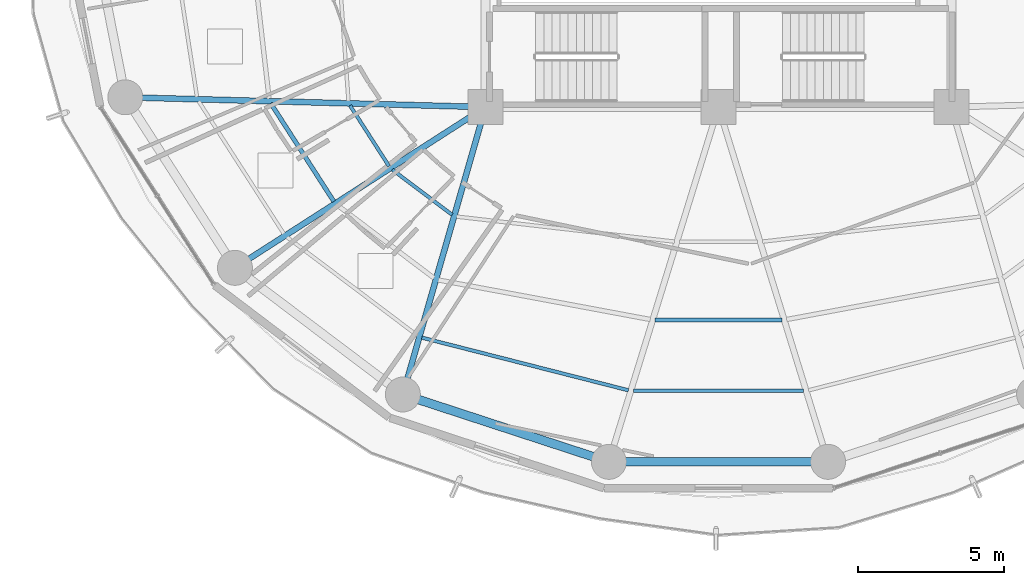
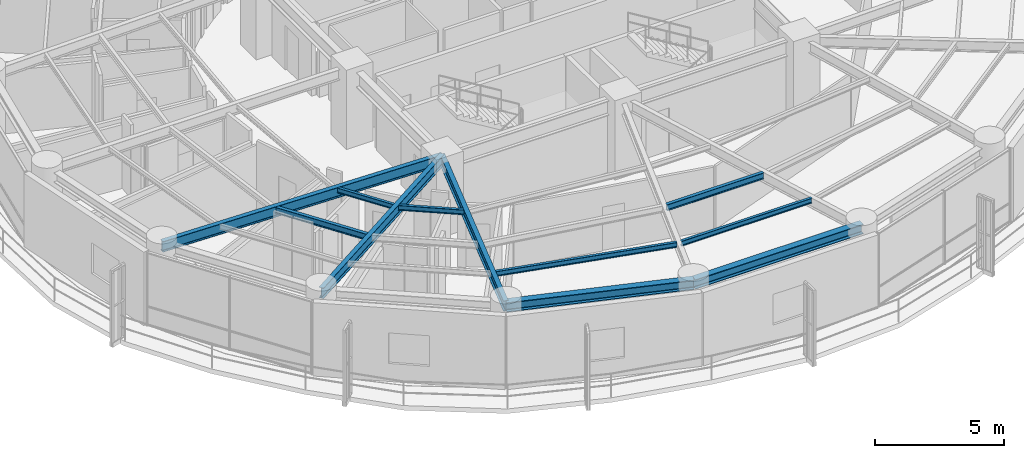
# One storey, part 3 of 28: 11 beams.
"""IFC4 building model written with IfcOpenShell, lengths in metres."""

from ifc_helpers import new_model, si_unit, direction, frame, origin, origin_2d, place, context, subcontext, project, spatial, i_section, extrude, material, material_profile, profile_set, type_object, element, save


model = new_model("IFC4")

# Units and contexts
model_context = context("Model", 3, precision=1e-05, world=origin(), true_north=direction((0.0, 1.0)))
body_context = subcontext(model_context, "Body", "Model", "MODEL_VIEW")
ifc_project = project(units=[si_unit("LENGTHUNIT", "METRE"), si_unit("AREAUNIT", "SQUARE_METRE"), si_unit("VOLUMEUNIT", "CUBIC_METRE"), si_unit("PLANEANGLEUNIT", "RADIAN"), si_unit("MASSUNIT", "GRAM", prefix="KILO")], contexts=[model_context])

# Site, building, storey
site_placement = place(None, origin())
site = spatial("IfcSite", under=ifc_project, at=site_placement, CompositionType="ELEMENT")
building_placement = place(site_placement, origin())
building = spatial("IfcBuilding", under=site, at=building_placement, Name="Kelanora Arch Commons", CompositionType="ELEMENT")
storey_placement = place(building_placement, frame((0.0, 0.0, 176.85009765625)))
storey = spatial("IfcBuildingStorey", under=building, at=storey_placement, Name="L45", CompositionType="ELEMENT", Elevation=176.85009765625)

# Beams
ifc_material = material(Name="Steel S355", Category="steel")
ifc_material_profile_1 = material_profile(ifc_material, i_section(OverallWidth=0.14990234375, OverallDepth=0.300048828125, WebThickness=0.007080078125, FlangeThickness=0.0107421875, FilletRadius=0.014892578125, at=origin_2d()), Name="IPE300")
ifc_profile_set_1 = profile_set([ifc_material_profile_1], Name="Steel S355")
beam_type_1 = type_object("IfcBeamType", Name="BM-JST-01", PredefinedType="JOIST", material=ifc_profile_set_1)
beam_1_placement = place(storey_placement, frame((58.622314453125, 51.130859375, 3.33984375), z_axis=(0.540594434398, -0.841283339606, 0.0), x_axis=(0.841283339606, 0.540594434398, 0.0)))
element("IfcBeam", 1, at=beam_1_placement, inside=storey, type_object=beam_type_1, Name="Secondary Chord Joist BJB-20 L45", PredefinedType="JOIST", context=body_context, shape_type="SweptSolid", body=[
    extrude(i_section(OverallWidth=0.14990234375, OverallDepth=0.300048828125, WebThickness=0.007080078125, FlangeThickness=0.0107421875, FilletRadius=0.014892578125, at=origin_2d()), origin(), (0.0, 0.0, 1.0), 4.008544921875),
])
beam_2_placement = place(storey_placement, frame((71.826171875, 43.689453125, 3.33984375), z_axis=(1.0, 0.0, 0.0), x_axis=(0.0, 1.0, 0.0)))
element("IfcBeam", 2, at=beam_2_placement, inside=storey, type_object=beam_type_1, Name="Secondary Chord Joist BJB-26 L45", PredefinedType="JOIST", context=body_context, shape_type="SweptSolid", body=[
    extrude(i_section(OverallWidth=0.14990234375, OverallDepth=0.300048828125, WebThickness=0.007080078125, FlangeThickness=0.0107421875, FilletRadius=0.014892578125, at=origin_2d()), origin(), (0.0, 0.0, 1.0), 4.34765625),
])
ifc_material_profile_2 = material_profile(ifc_material, i_section(OverallWidth=0.1201171875, OverallDepth=0.239990234375, WebThickness=0.006103515625, FlangeThickness=0.009765625, FilletRadius=0.014892578125, at=origin_2d()), Name="IPE240")
ifc_profile_set_2 = profile_set([ifc_material_profile_2], Name="Steel S355")
beam_type_2 = type_object("IfcBeamType", Name="BM-JST-02", PredefinedType="JOIST", material=ifc_profile_set_2)
beam_3_placement = place(storey_placement, frame((61.344482421875, 51.056640625, 3.369873046875), z_axis=(0.540583174025, -0.841290575224, 0.0), x_axis=(0.841290575224, 0.540583174025, 0.0)))
element("IfcBeam", 3, at=beam_3_placement, inside=storey, type_object=beam_type_2, Name="Secondary Chord Joist BJA-20 L45", PredefinedType="JOIST", context=body_context, shape_type="SweptSolid", body=[
    extrude(i_section(OverallWidth=0.1201171875, OverallDepth=0.239990234375, WebThickness=0.006103515625, FlangeThickness=0.009765625, FilletRadius=0.014892578125, at=origin_2d()), origin(), (0.0, 0.0, 1.0), 2.476318359375),
])
beam_4_placement = place(storey_placement, frame((62.796875, 48.8505859375, 3.369873046875), z_axis=(0.798484118859, -0.602015873487, 0.0), x_axis=(0.602015873487, 0.798484118859, 0.0)))
element("IfcBeam", 4, at=beam_4_placement, inside=storey, type_object=beam_type_2, Name="Secondary Chord Joist BJA-22 L45", PredefinedType="JOIST", context=body_context, shape_type="SweptSolid", body=[
    extrude(i_section(OverallWidth=0.1201171875, OverallDepth=0.239990234375, WebThickness=0.006103515625, FlangeThickness=0.009765625, FilletRadius=0.014892578125, at=origin_2d()), origin(), (0.0, 0.0, 1.0), 2.57470703125),
])
beam_5_placement = place(storey_placement, frame((63.810302734375, 43.082763671875, 3.369873046875), z_axis=(0.96900232943, -0.247051584815, 0.0), x_axis=(0.247051584815, 0.96900232943, 0.0)))
element("IfcBeam", 5, at=beam_5_placement, inside=storey, type_object=beam_type_2, Name="Secondary Chord Joist BJC-24 L45", PredefinedType="JOIST", context=body_context, shape_type="SweptSolid", body=[
    extrude(i_section(OverallWidth=0.1201171875, OverallDepth=0.239990234375, WebThickness=0.006103515625, FlangeThickness=0.009765625, FilletRadius=0.014892578125, at=origin_2d()), origin(), (0.0, 0.0, 1.0), 7.32275390625),
])
beam_6_placement = place(storey_placement, frame((71.0732421875, 41.252685546875, 3.369873046875), z_axis=(1.0, 0.0, 0.0), x_axis=(0.0, 1.0, 0.0)))
element("IfcBeam", 6, at=beam_6_placement, inside=storey, type_object=beam_type_2, Name="Secondary Chord Joist BJC-26 L45", PredefinedType="JOIST", context=body_context, shape_type="SweptSolid", body=[
    extrude(i_section(OverallWidth=0.1201171875, OverallDepth=0.239990234375, WebThickness=0.006103515625, FlangeThickness=0.009765625, FilletRadius=0.014892578125, at=origin_2d()), origin(), (0.0, 0.0, 1.0), 5.853515625),
])
ifc_material_profile_3 = material_profile(ifc_material, i_section(OverallWidth=0.199951171875, OverallDepth=0.5, WebThickness=0.01025390625, FlangeThickness=0.01611328125, FilletRadius=0.02099609375, at=origin_2d()), Name="IPE500")
ifc_profile_set_3 = profile_set([ifc_material_profile_3], Name="Steel S355")
beam_type_3 = type_object("IfcBeamType", Name="BM-RAD-Z3", PredefinedType="BEAM", material=ifc_profile_set_3)
beam_7_placement = place(storey_placement, frame((66.0, 51.0, 3.239990234375), z_axis=(-0.999628374924, 0.027260081577, 0.0), x_axis=(-0.027260081577, -0.999628374924, 0.0)))
element("IfcBeam", 7, at=beam_7_placement, inside=storey, type_object=beam_type_3, Name="Radial Floor Girder BR-20 L45", PredefinedType="BEAM", context=body_context, shape_type="SweptSolid", body=[
    extrude(i_section(OverallWidth=0.199951171875, OverallDepth=0.5, WebThickness=0.01025390625, FlangeThickness=0.01611328125, FilletRadius=0.02099609375, at=origin_2d()), origin(), (0.0, 0.0, 1.0), 12.377197265625),
])
beam_8_placement = place(storey_placement, frame((66.0, 51.0, 3.239990234375), z_axis=(-0.841719465748, -0.539915123868, 0.0), x_axis=(0.539915123868, -0.841719465748, 0.0)))
element("IfcBeam", 8, at=beam_8_placement, inside=storey, type_object=beam_type_3, Name="Radial Floor Girder BR-22 L45", PredefinedType="BEAM", context=body_context, shape_type="SweptSolid", body=[
    extrude(i_section(OverallWidth=0.199951171875, OverallDepth=0.5, WebThickness=0.01025390625, FlangeThickness=0.01611328125, FilletRadius=0.02099609375, at=origin_2d()), origin(), (0.0, 0.0, 1.0), 10.2265625),
])
beam_9_placement = place(storey_placement, frame((66.0, 51.0, 3.239990234375), z_axis=(-0.276525880065, -0.961006471182, 0.0), x_axis=(0.961006471182, -0.276525880065, 0.0)))
element("IfcBeam", 9, at=beam_9_placement, inside=storey, type_object=beam_type_3, Name="Radial Floor Girder BR-24 L45", PredefinedType="BEAM", context=body_context, shape_type="SweptSolid", body=[
    extrude(i_section(OverallWidth=0.199951171875, OverallDepth=0.5, WebThickness=0.01025390625, FlangeThickness=0.01611328125, FilletRadius=0.02099609375, at=origin_2d()), origin(), (0.0, 0.0, 1.0), 10.2705078125),
])
ifc_material_profile_4 = material_profile(ifc_material, i_section(OverallWidth=0.300048828125, OverallDepth=0.449951171875, WebThickness=0.013916015625, FlangeThickness=0.02587890625, FilletRadius=0.027099609375, at=origin_2d()), Name="HEB450")
ifc_profile_set_4 = profile_set([ifc_material_profile_4], Name="Steel S355")
beam_type_4 = type_object("IfcBeamType", Name="BM-SPN-Z3", PredefinedType="SPANDREL", material=ifc_profile_set_4)
beam_10_placement = place(storey_placement, frame((63.159912109375, 41.1298828125, 3.264892578125), z_axis=(0.950461975786, -0.310840847676, 0.0), x_axis=(0.310840847676, 0.950461975786, 0.0)))
element("IfcBeam", 10, at=beam_10_placement, inside=storey, type_object=beam_type_4, Name="Perimeter Spandrel Beam BS-24 L45", PredefinedType="SPANDREL", context=body_context, shape_type="SweptSolid", body=[
    extrude(i_section(OverallWidth=0.300048828125, OverallDepth=0.449951171875, WebThickness=0.013916015625, FlangeThickness=0.02587890625, FilletRadius=0.027099609375, at=origin_2d()), origin(), (0.0, 0.0, 1.0), 7.444091796875),
])
beam_11_placement = place(storey_placement, frame((70.2353515625, 38.81591796875, 3.264892578125), z_axis=(1.0, 0.0, 0.0), x_axis=(0.0, 1.0, 0.0)))
element("IfcBeam", 11, at=beam_11_placement, inside=storey, type_object=beam_type_4, Name="Perimeter Spandrel Beam BS-26 L45", PredefinedType="SPANDREL", context=body_context, shape_type="SweptSolid", body=[
    extrude(i_section(OverallWidth=0.300048828125, OverallDepth=0.449951171875, WebThickness=0.013916015625, FlangeThickness=0.02587890625, FilletRadius=0.027099609375, at=origin_2d()), origin(), (0.0, 0.0, 1.0), 7.529296875),
])

save(model, "model.ifc")
